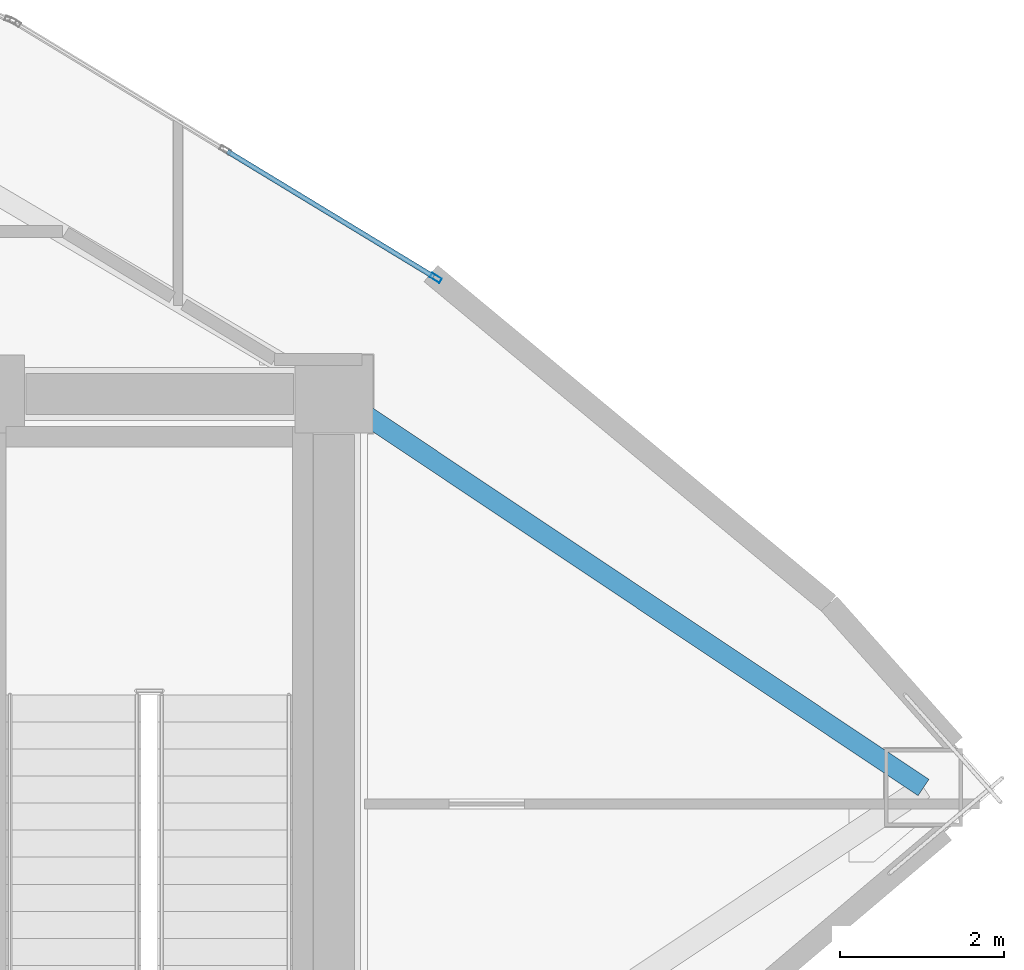
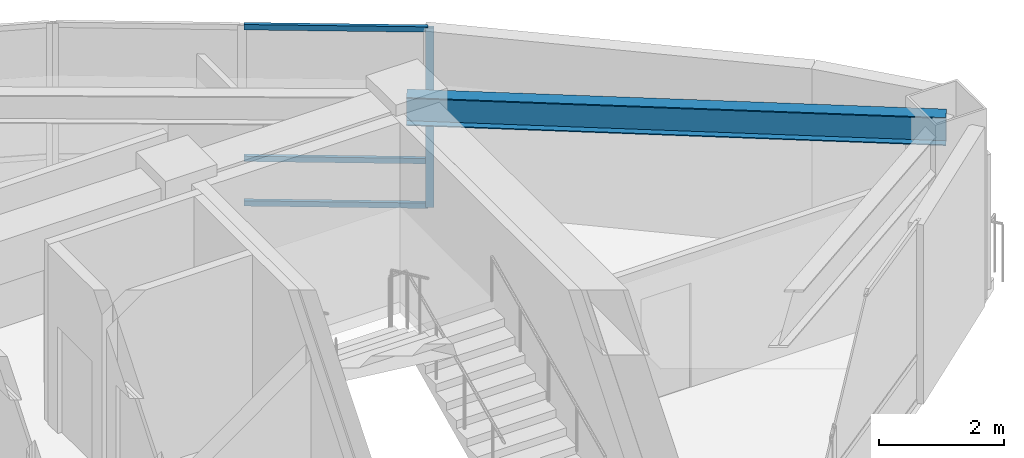
# One storey, part 9 of 15: 4 members, 1 beam, 1 element without a shape of its own.
"""IFC4 building model written with IfcOpenShell, lengths in metres."""

from ifc_helpers import new_model, si_unit, direction, frame, origin, origin_2d, place, context, subcontext, project, spatial, hollow_rectangle, i_section, extrude, material, layer, layer_set, material_profile, profile_set, type_object, element, aggregate, save


model = new_model("IFC4")

# Units and contexts
model_context = context("Model", 3, precision=1e-05, world=origin(), true_north=direction((0.0, 1.0)))
body_context = subcontext(model_context, "Body", "Model", "MODEL_VIEW")
ifc_project = project(units=[si_unit("LENGTHUNIT", "METRE"), si_unit("AREAUNIT", "SQUARE_METRE"), si_unit("VOLUMEUNIT", "CUBIC_METRE"), si_unit("PLANEANGLEUNIT", "RADIAN"), si_unit("MASSUNIT", "GRAM", prefix="KILO")], contexts=[model_context])

# Site, building, storey
site_placement = place(None, origin())
site = spatial("IfcSite", under=ifc_project, at=site_placement, CompositionType="ELEMENT")
building_placement = place(site_placement, origin())
building = spatial("IfcBuilding", under=site, at=building_placement, Name="Menara Vayukalpa", CompositionType="ELEMENT")
storey_placement = place(building_placement, frame((0.0, 0.0, 176.639892578125)))
storey = spatial("IfcBuildingStorey", under=building, at=storey_placement, Name="L44", CompositionType="ELEMENT", Elevation=176.639892578125)

# Beam
ifc_material_1 = material(Name="Steel S355", Category="steel")
ifc_material_profile_1 = material_profile(ifc_material_1, i_section(OverallWidth=0.239990234375, OverallDepth=0.550048828125, WebThickness=0.010986328125, FlangeThickness=0.01904296875, at=origin_2d()), Name="WF 550x240x11x19")
ifc_profile_set_1 = profile_set([ifc_material_profile_1], Name="Steel S355")
beam_type = type_object("IfcBeamType", Name="BM-SP2", PredefinedType="SPANDREL", material=ifc_profile_set_1)
beam_placement = place(storey_placement, frame((40.590576171875, 22.0, 3.22509765625), z_axis=(-0.831715622571, 0.555201876052, 0.0), x_axis=(-0.555201876052, -0.831715622571, 0.0)))
element("IfcBeam", 1, at=beam_placement, inside=storey, type_object=beam_type, Name="L44 Perimeter Spandrel Beam SP01", PredefinedType="SPANDREL", context=body_context, shape_type="SweptSolid", body=[
    extrude(i_section(OverallWidth=0.239990234375, OverallDepth=0.550048828125, WebThickness=0.010986328125, FlangeThickness=0.01904296875, at=origin_2d()), origin(), (0.0, 0.0, 1.0), 8.6455078125),
])

# Curtain wall, members
ifc_material_2 = material(Name="Anodised Terracotta Aluminium Alloy 6063-T6", Category="masonry")
ifc_layer = layer(ifc_material_2, 0.139892578125)
ifc_layer_set = layer_set([ifc_layer], Name="Anodised Terracotta Aluminium Alloy 6063-T6")
curtain_wall_type = type_object("IfcCurtainWallType", Name="CW-CW5", PredefinedType="USERDEFINED", material=ifc_layer_set)
curtain_wall_placement = place(storey_placement, origin())
curtain_wall = element("IfcCurtainWall", 2, at=curtain_wall_placement, inside=storey, type_object=curtain_wall_type, Name="L44 High Rise Tapered Curtain Wall CW5 04", ObjectType="UNITISED", PredefinedType="USERDEFINED")
ifc_material_3 = material(Name="Anodised Terracotta Aluminium Alloy 6063-T6", Category="masonry")
ifc_material_profile_2 = material_profile(ifc_material_3, hollow_rectangle(XDim=0.06005859375, YDim=0.139892578125, WallThickness=0.00341796875, at=origin_2d()), Name="ALU 60x140x3.5")
ifc_profile_set_2 = profile_set([ifc_material_profile_2], Name="Anodised Terracotta Aluminium Alloy 6063-T6")
member_type_1 = type_object("IfcMemberType", Name="CWM-CW5", PredefinedType="MULLION", material=ifc_profile_set_2)
member_1_placement = place(storey_placement, frame((34.6416015625, 28.21484375, 0.0), z_axis=(0.0, 0.0, 1.0), x_axis=(-0.519179911779, -0.854664974832, 0.0)))
member_1 = element("IfcMember", 3, at=member_1_placement, type_object=member_type_1, Name="CW5 mullion 1", PredefinedType="MULLION", context=body_context, shape_type="SweptSolid", body=[
    extrude(hollow_rectangle(XDim=0.06005859375, YDim=0.139892578125, WallThickness=0.00341796875, at=origin_2d()), origin(), (0.0, 0.0, 1.0), 3.5),
])
ifc_material_4 = material(Name="Anodised Terracotta Aluminium Alloy 6063-T6", Category="masonry")
ifc_material_profile_3 = material_profile(ifc_material_4, hollow_rectangle(XDim=0.06005859375, YDim=0.10498046875, WallThickness=0.0029296875, at=origin_2d()), Name="ALU 60x105x3")
ifc_profile_set_3 = profile_set([ifc_material_profile_3], Name="Anodised Terracotta Aluminium Alloy 6063-T6")
member_type_2 = type_object("IfcMemberType", Name="CWT-CW5", PredefinedType="USERDEFINED", material=ifc_profile_set_3)
member_2_placement = place(storey_placement, frame((34.615966796875, 28.23046875, 0.030029296875), z_axis=(-0.854683649113, 0.519149169255, 0.0), x_axis=(-0.519149169255, -0.854683649113, 0.0)))
member_2 = element("IfcMember", 4, at=member_2_placement, type_object=member_type_2, Name="CW5 transom 1.1", ObjectType="TRANSOM", PredefinedType="USERDEFINED", context=body_context, shape_type="SweptSolid", body=[
    extrude(hollow_rectangle(XDim=0.06005859375, YDim=0.10498046875, WallThickness=0.0029296875, at=origin_2d()), origin(), (0.0, 0.0, 1.0), 2.9423828125),
])
member_3_placement = place(storey_placement, frame((34.615966796875, 28.23046875, 0.900146484375), z_axis=(-0.854683649113, 0.519149169255, 0.0), x_axis=(-0.519149169255, -0.854683649113, 0.0)))
member_3 = element("IfcMember", 5, at=member_3_placement, type_object=member_type_2, Name="CW5 transom 1.2", ObjectType="TRANSOM", PredefinedType="USERDEFINED", context=body_context, shape_type="SweptSolid", body=[
    extrude(hollow_rectangle(XDim=0.06005859375, YDim=0.10498046875, WallThickness=0.0029296875, at=origin_2d()), origin(), (0.0, 0.0, 1.0), 2.9423828125),
])
member_4_placement = place(storey_placement, frame((34.615966796875, 28.23046875, 3.47021484375), z_axis=(-0.854683649113, 0.519149169255, 0.0), x_axis=(-0.519149169255, -0.854683649113, 0.0)))
member_4 = element("IfcMember", 6, at=member_4_placement, type_object=member_type_2, Name="CW5 transom 1.3", ObjectType="TRANSOM", PredefinedType="USERDEFINED", context=body_context, shape_type="SweptSolid", body=[
    extrude(hollow_rectangle(XDim=0.06005859375, YDim=0.10498046875, WallThickness=0.0029296875, at=origin_2d()), origin(), (0.0, 0.0, 1.0), 2.9423828125),
])
aggregate(curtain_wall, [member_1, member_2, member_3, member_4])

save(model, "model.ifc")
